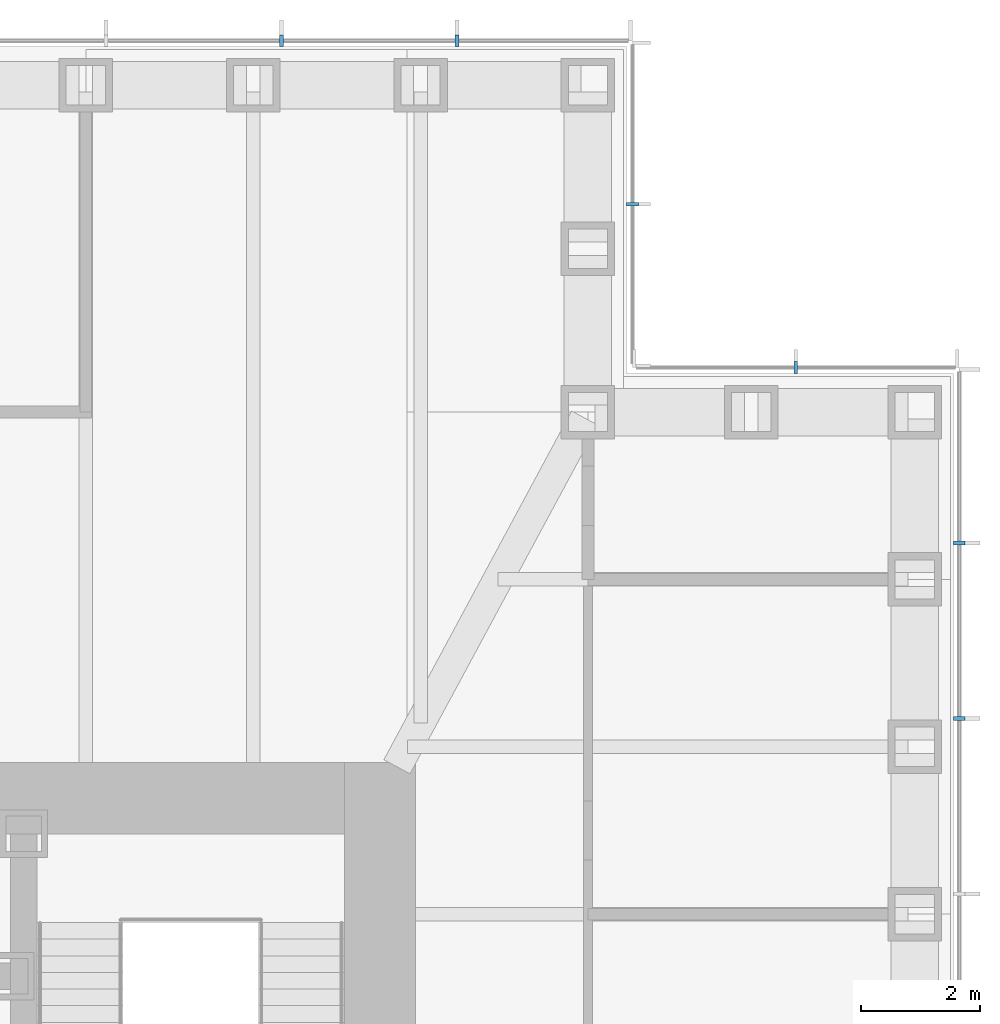
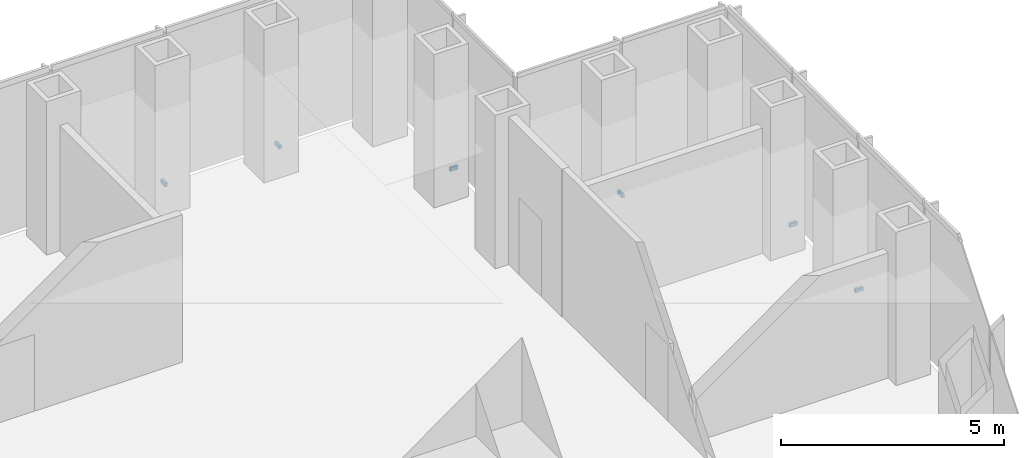
# One storey, part 15 of 16: 6 discrete accessories.
"""IFC4 building model written with IfcOpenShell, lengths in metres."""

from ifc_helpers import new_model, si_unit, direction, frame, origin, origin_2d, place, context, subcontext, project, spatial, rectangle, extrude, element, save


model = new_model("IFC4")

# Units and contexts
model_context = context("Model", 3, precision=1e-05, world=origin(), true_north=direction((0.0, 1.0)))
body_context = subcontext(model_context, "Body", "Model", "MODEL_VIEW")
ifc_project = project(units=[si_unit("LENGTHUNIT", "METRE"), si_unit("AREAUNIT", "SQUARE_METRE"), si_unit("VOLUMEUNIT", "CUBIC_METRE"), si_unit("PLANEANGLEUNIT", "RADIAN"), si_unit("MASSUNIT", "GRAM", prefix="KILO")], contexts=[model_context])

# Site, building, storey
site_placement = place(None, origin())
site = spatial("IfcSite", under=ifc_project, at=site_placement, CompositionType="ELEMENT")
building_placement = place(site_placement, origin())
building = spatial("IfcBuilding", under=site, at=building_placement, Name="Daluyong Arena Tower", CompositionType="ELEMENT")
storey_placement = place(building_placement, frame((0.0, 0.0, 189.699951171875)))
storey = spatial("IfcBuildingStorey", under=building, at=storey_placement, Name="L42", CompositionType="ELEMENT", Elevation=189.699951171875)

# Discrete accessories
for number, where, z_axis, x_axis, name in (
    (1, (77.75, 90.3408203125, -0.10009765625), (0.0, 0.0, 1.0), (0.0, 1.0, 0.0), "curtain wall L42 E anchor bracket 10"),
    (2, (77.75, 93.29541015625, -0.10009765625), (0.0, 0.0, 1.0), (0.0, 1.0, 0.0), "curtain wall L42 E anchor bracket 11"),
):
    element("IfcDiscreteAccessory", number, at=place(storey_placement, frame(where, z_axis=z_axis, x_axis=x_axis)), inside=storey, Name=name, PredefinedType="BRACKET", context=body_context, shape_type="SweptSolid", body=[
        extrude(rectangle(XDim=0.070068359375, YDim=0.199951171875, at=origin_2d()), origin(), (0.0, 0.0, 1.0), 0.10009765625),
    ])
for number, where, z_axis, x_axis, name in (
    (3, (75.0, 96.25, -0.10009765625), (0.0, 0.0, 1.0), (-1.0, 0.0, 0.0), "curtain wall L42 NE-N anchor bracket 2"),
    (4, (72.25, 99.0, -0.10009765625), (0.0, 0.0, 1.0), (0.0, 1.0, 0.0), "curtain wall L42 NE-E anchor bracket 2"),
):
    element("IfcDiscreteAccessory", number, at=place(storey_placement, frame(where, z_axis=z_axis, x_axis=x_axis)), inside=storey, Name=name, PredefinedType="BRACKET", context=body_context, shape_type="SweptSolid", body=[
        extrude(rectangle(XDim=0.06005859375, YDim=0.199951171875, at=origin_2d()), origin(), (0.0, 0.0, 1.0), 0.10009765625),
    ])
for number, where, z_axis, x_axis, name in (
    (5, (69.29541015625, 101.75, -0.10009765625), (0.0, 0.0, 1.0), (-1.0, 0.0, 0.0), "curtain wall L42 N anchor bracket 2"),
    (6, (66.3408203125, 101.75, -0.10009765625), (0.0, 0.0, 1.0), (-1.0, 0.0, 0.0), "curtain wall L42 N anchor bracket 3"),
):
    element("IfcDiscreteAccessory", number, at=place(storey_placement, frame(where, z_axis=z_axis, x_axis=x_axis)), inside=storey, Name=name, PredefinedType="BRACKET", context=body_context, shape_type="SweptSolid", body=[
        extrude(rectangle(XDim=0.070068359375, YDim=0.199951171875, at=origin_2d()), origin(), (0.0, 0.0, 1.0), 0.10009765625),
    ])

save(model, "model.ifc")
